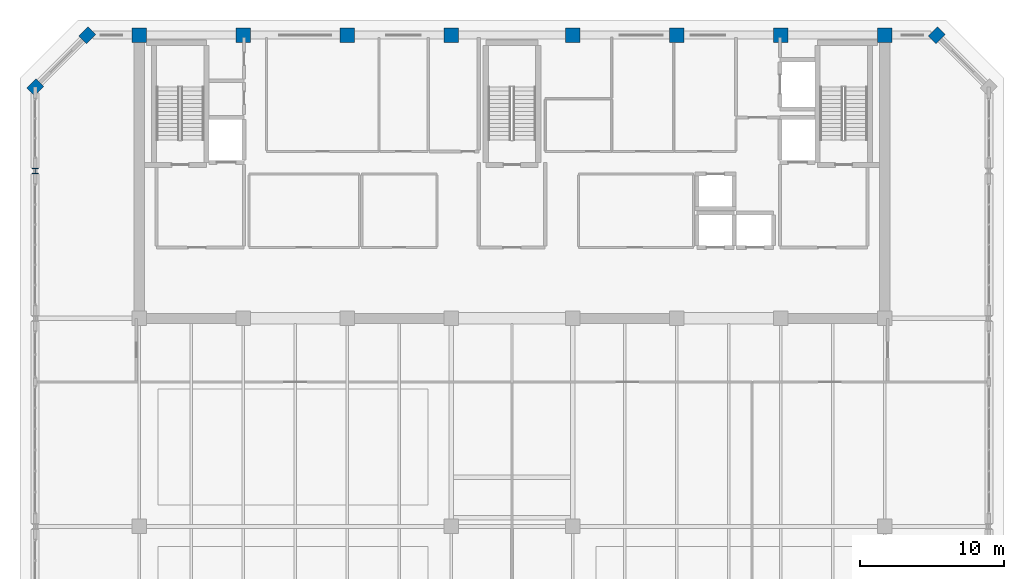
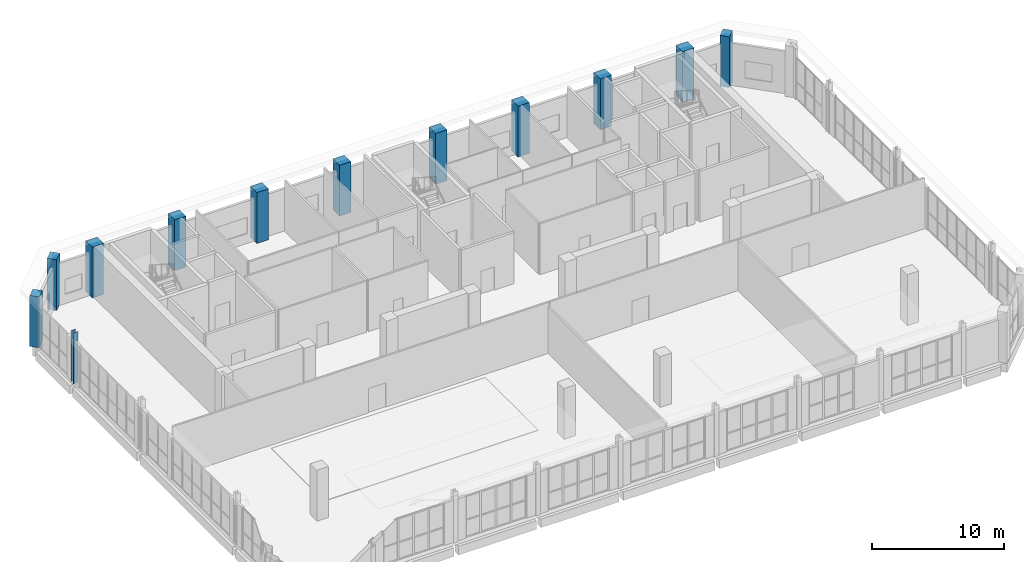
# One storey, part 2 of 36: 12 columns.
"""IFC4 building model written with IfcOpenShell, lengths in metres."""

from ifc_helpers import new_model, si_unit, direction, frame, origin, origin_2d, place, context, subcontext, project, spatial, rectangle, i_section, extrude, material, material_profile, profile_set, type_object, element, save


model = new_model("IFC4")

# Units and contexts
model_context = context("Model", 3, precision=1e-05, world=origin(), true_north=direction((0.0, 1.0)))
body_context = subcontext(model_context, "Body", "Model", "MODEL_VIEW")
ifc_project = project(units=[si_unit("LENGTHUNIT", "METRE"), si_unit("AREAUNIT", "SQUARE_METRE"), si_unit("VOLUMEUNIT", "CUBIC_METRE"), si_unit("PLANEANGLEUNIT", "RADIAN"), si_unit("MASSUNIT", "GRAM", prefix="KILO")], contexts=[model_context])

# Site, building, storey
site_placement = place(None, origin())
site = spatial("IfcSite", under=ifc_project, at=site_placement, CompositionType="ELEMENT")
building_placement = place(site_placement, origin())
building = spatial("IfcBuilding", under=site, at=building_placement, Name="Kaelvorn Grand Hotel", CompositionType="ELEMENT")
storey_placement = place(building_placement, frame((0.0, 0.0, 305.699951171875)))
storey = spatial("IfcBuildingStorey", under=building, at=storey_placement, Name="L74", CompositionType="ELEMENT", Elevation=305.699951171875)

# Columns
ifc_material_1 = material(Name="Concrete C60/75", Category="concrete")
ifc_material_profile_1 = material_profile(ifc_material_1, rectangle(XDim=0.89990234375, YDim=0.75, at=origin_2d()), Name="RC PILASTER 900x750")
ifc_profile_set_1 = profile_set([ifc_material_profile_1], Name="Concrete C60/75")
column_type_1 = type_object("IfcColumnType", Name="COL-PIL-900x750-C60", PredefinedType="PILASTER", material=ifc_profile_set_1)
for number, where, z_axis, x_axis, name in (
    (1, (71.39990234375, 49.0, 0.0), (0.0, 0.0, 1.0), (0.707106781187, 0.707106781187, 0.0), "L74 Structural Column CH-05"),
    (2, (12.60009765625, 49.0, 0.0), (0.0, 0.0, 1.0), (0.707106781187, 0.707106781187, 0.0), "L74 Structural Column CH-06"),
    (3, (9.0, 45.39990234375, 0.0), (0.0, 0.0, 1.0), (0.707106781187, 0.707106781187, 0.0), "L74 Structural Column CH-07"),
):
    element("IfcColumn", number, at=place(storey_placement, frame(where, z_axis=z_axis, x_axis=x_axis)), inside=storey, type_object=column_type_1, Name=name, PredefinedType="PILASTER", context=body_context, shape_type="SweptSolid", body=[
        extrude(rectangle(XDim=0.89990234375, YDim=0.75, at=origin_2d()), origin(), (0.0, 0.0, 1.0), 4.699951171875),
    ])
ifc_material_2 = material(Name="Concrete C50/60", Category="concrete")
ifc_material_profile_2 = material_profile(ifc_material_2, rectangle(XDim=1.0, YDim=1.0, at=origin_2d()), Name="RC COL 1000x1000")
ifc_profile_set_2 = profile_set([ifc_material_profile_2], Name="Concrete C50/60")
column_type_2 = type_object("IfcColumnType", Name="COL-RC-1000-C50", PredefinedType="COLUMN", material=ifc_profile_set_2)
for number, where, z_axis, x_axis, name in (
    (4, (16.199951171875, 49.0, 0.0), (0.0, 0.0, 1.0), (1.0, 0.0, 0.0), "L74 Structural Column CR2-01"),
    (5, (23.39990234375, 49.0, 0.0), (0.0, 0.0, 1.0), (1.0, 0.0, 0.0), "L74 Structural Column CR2-02"),
    (6, (30.60009765625, 49.0, 0.0), (0.0, 0.0, 1.0), (1.0, 0.0, 0.0), "L74 Structural Column CR2-03"),
    (7, (37.800048828125, 49.0, 0.0), (0.0, 0.0, 1.0), (1.0, 0.0, 0.0), "L74 Structural Column CR2-04"),
    (8, (46.199951171875, 49.0, 0.0), (0.0, 0.0, 1.0), (1.0, 0.0, 0.0), "L74 Structural Column CR2-05"),
    (9, (53.39990234375, 49.0, 0.0), (0.0, 0.0, 1.0), (1.0, 0.0, 0.0), "L74 Structural Column CR2-06"),
    (10, (60.60009765625, 49.0, 0.0), (0.0, 0.0, 1.0), (1.0, 0.0, 0.0), "L74 Structural Column CR2-07"),
    (11, (67.800048828125, 49.0, 0.0), (0.0, 0.0, 1.0), (1.0, 0.0, 0.0), "L74 Structural Column CR2-08"),
):
    element("IfcColumn", number, at=place(storey_placement, frame(where, z_axis=z_axis, x_axis=x_axis)), inside=storey, type_object=column_type_2, Name=name, PredefinedType="COLUMN", context=body_context, shape_type="SweptSolid", body=[
        extrude(rectangle(XDim=1.0, YDim=1.0, at=origin_2d()), origin(), (0.0, 0.0, 1.0), 4.699951171875),
    ])
ifc_material_3 = material(Name="Steel S355", Category="steel")
ifc_material_profile_3 = material_profile(ifc_material_3, i_section(OverallWidth=0.39892578125, OverallDepth=0.3935546875, WebThickness=0.022705078125, FlangeThickness=0.03662109375, FilletRadius=0.01513671875, at=origin_2d()), Name="UC 356x406x287")
ifc_profile_set_3 = profile_set([ifc_material_profile_3], Name="Steel S355")
column_type_3 = type_object("IfcColumnType", Name="COL-STL-UC356-S355", PredefinedType="COLUMN", material=ifc_profile_set_3)
column_placement = place(storey_placement, frame((9.0, 39.60009765625, 0.0), z_axis=(0.0, 0.0, 1.0), x_axis=(1.0, 0.0, 0.0)))
element("IfcColumn", 12, at=column_placement, inside=storey, type_object=column_type_3, Name="L74 Structural Column W-03", PredefinedType="COLUMN", context=body_context, shape_type="SweptSolid", body=[
    extrude(i_section(OverallWidth=0.39892578125, OverallDepth=0.3935546875, WebThickness=0.022705078125, FlangeThickness=0.03662109375, FilletRadius=0.01513671875, at=origin_2d()), origin(), (0.0, 0.0, 1.0), 4.699951171875),
])

save(model, "model.ifc")
